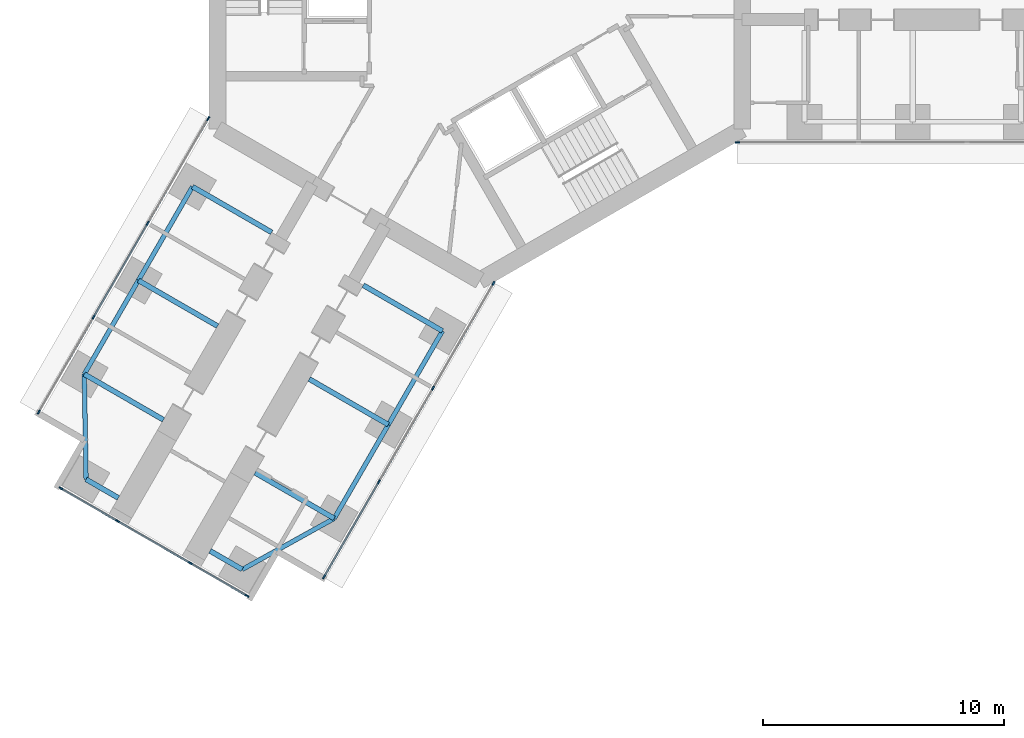
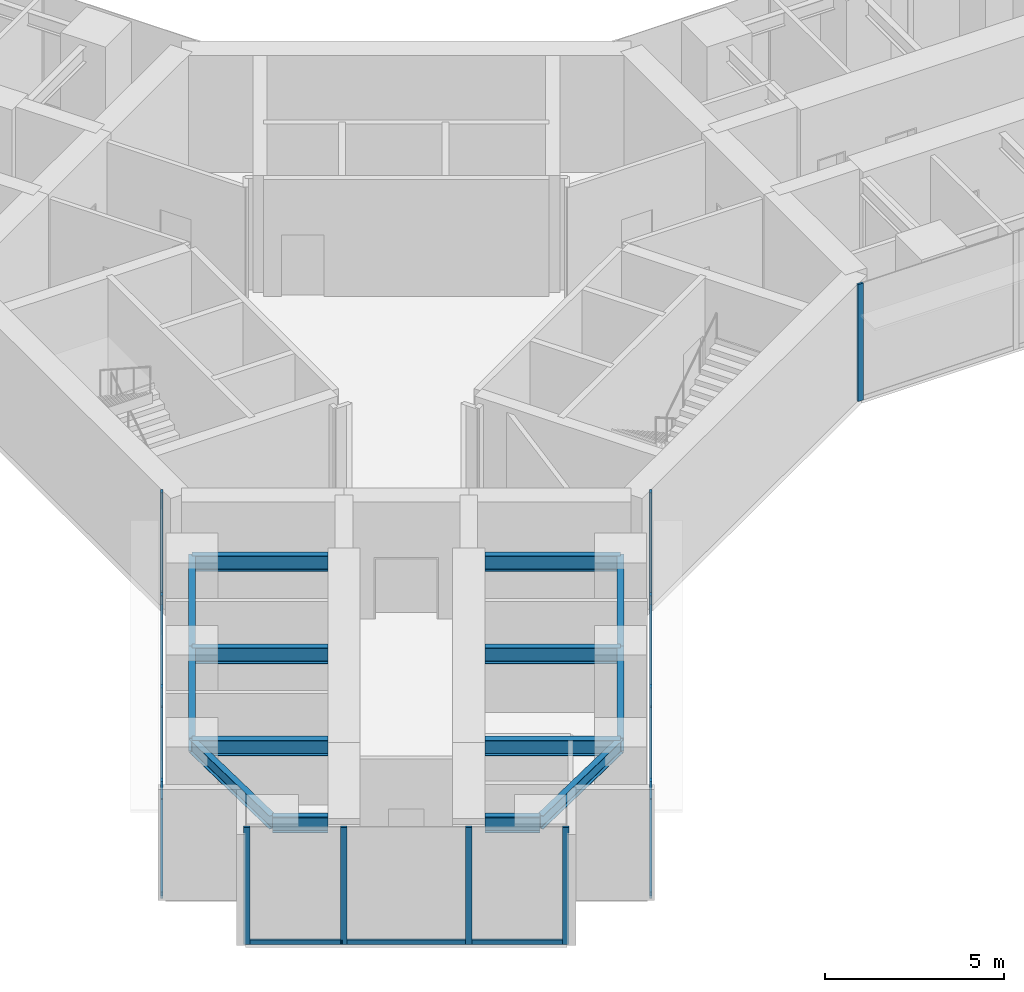
# One storey, part 2 of 24: 22 members, 14 beams, 4 elements without a shape of their own.
"""IFC4 building model written with IfcOpenShell, lengths in metres."""

import ifcopenshell
import ifcopenshell.guid

model = None  # the IFC model being written
_history = None  # IfcOwnerHistory: only IFC2X3 demands one
_inside = {}  # id of a spatial element -> (the spatial element, [elements in it])
_under = {}  # id of a project, library or spatial element -> (it, [spatial elements below it])
_declared = {}  # id of a project -> (the project, [libraries it declares])
_typed = {}  # id of a type object -> (the type object, [elements of that type])
_made_of = {}  # id of a material, layer set ... -> (it, [elements and type objects made of it])


def new_model(schema):
    """Start an empty IFC model of exactly this schema.

    Asked for "IFC4X3", IfcOpenShell would pick the latest addendum, in which some entities
    have other attributes; the version numbers below select the first issue.
    IFC2X3 requires an IfcOwnerHistory on every rooted entity: one is made here for all.
    """
    global model, _history
    if schema == "IFC4X3":
        model = ifcopenshell.file(schema_version=(4, 3, 0, 0))
    else:
        model = ifcopenshell.file(schema=schema)
    _inside.clear()
    _under.clear()
    _declared.clear()
    _typed.clear()
    _made_of.clear()
    _history = None
    if model.schema == "IFC2X3":
        org = make("IfcOrganization", Name="unknown")
        user = make(
            "IfcPersonAndOrganization",
            ThePerson=make("IfcPerson", FamilyName="unknown"),
            TheOrganization=org,
        )
        app = make(
            "IfcApplication",
            ApplicationDeveloper=org,
            Version="unknown",
            ApplicationFullName="unknown",
            ApplicationIdentifier="unknown",
        )
        _history = make(
            "IfcOwnerHistory",
            OwningUser=user,
            OwningApplication=app,
            ChangeAction="ADDED",
            CreationDate=0,
        )
    return model


def make(cls, **values):
    """One entity of the class cls with the attributes given. An attribute that is None is left unset."""
    return model.create_entity(
        cls, **{name: value for name, value in values.items() if value is not None}
    )


def rooted(cls, **values):
    """An entity with a GlobalId (a new one), such as an element, a storey or a relation."""
    return make(cls, GlobalId=ifcopenshell.guid.new(), OwnerHistory=_history, **values)


def si_unit(unit_type, name, prefix=None):
    """IfcSIUnit, for example si_unit("LENGTHUNIT", "METRE", prefix="MILLI")."""
    return make("IfcSIUnit", UnitType=unit_type, Prefix=prefix, Name=name)


def assignment(units):
    """IfcUnitAssignment: the units of a project."""
    return None if units is None else make("IfcUnitAssignment", Units=units)


def point(xyz):
    """IfcCartesianPoint."""
    return None if xyz is None else make("IfcCartesianPoint", Coordinates=xyz)


def direction(xyz):
    """IfcDirection."""
    return None if xyz is None else make("IfcDirection", DirectionRatios=xyz)


def frame(location, z_axis=None, x_axis=None):
    """IfcAxis2Placement3D, a coordinate frame: its origin and axes. An axis left out is left unset."""
    return make(
        "IfcAxis2Placement3D",
        Location=point(location),
        Axis=direction(z_axis),
        RefDirection=direction(x_axis),
    )


def frame_2d(location, x_axis=None):
    """IfcAxis2Placement2D, a coordinate frame in the plane: its origin and x axis."""
    return make(
        "IfcAxis2Placement2D", Location=point(location), RefDirection=direction(x_axis)
    )


def origin():
    """The frame at (0, 0, 0) with its axes left unset."""
    return frame((0.0, 0.0, 0.0))


def origin_2d():
    """The frame at (0, 0) in the plane with its x axis left unset."""
    return frame_2d((0.0, 0.0))


def place(relative_to, where):
    """IfcLocalPlacement: puts the frame where relative to a parent placement (None: the world)."""
    return make(
        "IfcLocalPlacement", PlacementRelTo=relative_to, RelativePlacement=where
    )


def context(
    kind, dimensions, precision=None, world=None, true_north=None, identifier=None
):
    """IfcGeometricRepresentationContext, for example the 3D "Model" context."""
    return make(
        "IfcGeometricRepresentationContext",
        ContextIdentifier=identifier,
        ContextType=kind,
        CoordinateSpaceDimension=dimensions,
        Precision=precision,
        WorldCoordinateSystem=world,
        TrueNorth=true_north,
    )


def subcontext(parent, identifier, kind, view, scale=None):
    """IfcGeometricRepresentationSubContext, for example "Body" below "Model"."""
    return make(
        "IfcGeometricRepresentationSubContext",
        ContextIdentifier=identifier,
        ContextType=kind,
        ParentContext=parent,
        TargetScale=scale,
        TargetView=view,
    )


def project(units=None, contexts=None):
    """IfcProject with its units and contexts."""
    return rooted(
        "IfcProject",
        Name="project",
        RepresentationContexts=contexts,
        UnitsInContext=assignment(units),
    )


def spatial(cls, under=None, at=None, **own):
    """A site, building, storey or space (cls), placed at a placement, below another one or the project."""
    s = rooted(cls, ObjectPlacement=at, **own)
    if under is not None:
        _under.setdefault(under.id(), (under, []))[1].append(s)
    return s


def profile(cls, at=None, kind="AREA", **sizes):
    """A parametric profile (cls). Its sizes go by their IFC names, for example OverallWidth=200.0."""
    return make(cls, ProfileType=kind, Position=at, **sizes)


def rectangle(**sizes):
    """IfcRectangleProfileDef."""
    return profile("IfcRectangleProfileDef", **sizes)


def i_section(**sizes):
    """IfcIShapeProfileDef."""
    return profile("IfcIShapeProfileDef", **sizes)


def extrude(swept, where, along, depth):
    """IfcExtrudedAreaSolid: the profile swept, set in the frame where, extruded along a direction by depth."""
    return make(
        "IfcExtrudedAreaSolid",
        SweptArea=swept,
        Position=where,
        ExtrudedDirection=direction(along),
        Depth=depth,
    )


def shape(context_of_items, identifier, shape_type, items):
    """IfcShapeRepresentation: the items that make up one representation, for example the "Body"."""
    return make(
        "IfcShapeRepresentation",
        ContextOfItems=context_of_items,
        RepresentationIdentifier=identifier,
        RepresentationType=shape_type,
        Items=items,
    )


def material(Name=None, Category=None):
    """IfcMaterial."""
    return make("IfcMaterial", Name=Name, Category=Category)


def material_profile(
    of_material, cross_section, Name=None, Category=None, Priority=None
):
    """IfcMaterialProfile: a cross section and its material."""
    return make(
        "IfcMaterialProfile",
        Name=Name,
        Material=of_material,
        Profile=cross_section,
        Priority=Priority,
        Category=Category,
    )


def profile_set(profiles, Name=None, composite=None):
    """IfcMaterialProfileSet."""
    return make(
        "IfcMaterialProfileSet",
        Name=Name,
        MaterialProfiles=profiles,
        CompositeProfile=composite,
    )


def made_of(thing, what):
    """Note that an element or type object is made of a material, layer set ...; save() writes the relation."""
    if what is not None:
        _made_of.setdefault(what.id(), (what, []))[1].append(thing)
    return thing


def type_object(cls, material=None, **own):
    """A type object (cls), such as IfcWallType, which elements share."""
    return made_of(rooted(cls, **own), material)


def element(
    cls,
    number,
    at=None,
    inside=None,
    cuts=None,
    type_object=None,
    material=None,
    context=None,
    identifier="Body",
    shape_type=None,
    held_by="IfcProductDefinitionShape",
    body=None,
    shapes=None,
    **own,
):
    """One element of the class cls, such as IfcWall. Its Tag is "e" and its number.

    at: its placement. inside: the storey or other place that contains it. cuts: it is an
    opening in that element (IfcRelVoidsElement). A single representation is given by context,
    identifier, shape_type and body (its items); several are given by shapes. held_by: the class
    of the entity that holds the representations. save() writes the other relations.
    """
    e = rooted(cls, Tag="e%d" % number, ObjectPlacement=at, **own)
    if body is not None:
        shapes = [shape(context, identifier, shape_type, body)]
    if shapes is not None:
        e.Representation = make(held_by, Representations=shapes)
    if inside is not None:
        _inside.setdefault(inside.id(), (inside, []))[1].append(e)
    if cuts is not None:
        rooted(
            "IfcRelVoidsElement", RelatingBuildingElement=cuts, RelatedOpeningElement=e
        )
    if type_object is not None:
        _typed.setdefault(type_object.id(), (type_object, []))[1].append(e)
    return made_of(e, material)


def aggregate(whole, parts):
    """IfcRelAggregates: a whole, such as a stair, and the parts it consists of."""
    return rooted("IfcRelAggregates", RelatingObject=whole, RelatedObjects=parts)


def save(model, path):
    """Write the relations noted so far, then the file.

    IfcRelAggregates (storeys below a building ...), IfcRelContainedInSpatialStructure (elements
    in a storey), IfcRelDefinesByType, IfcRelAssociatesMaterial and IfcRelDeclares: one each for
    every whole, place, type object, material and project.
    """
    for whole, parts in _under.values():
        aggregate(whole, parts)
    for where, things in _inside.values():
        rooted(
            "IfcRelContainedInSpatialStructure",
            RelatedElements=things,
            RelatingStructure=where,
        )
    for kind, things in _typed.values():
        rooted("IfcRelDefinesByType", RelatedObjects=things, RelatingType=kind)
    for what, things in _made_of.values():
        rooted("IfcRelAssociatesMaterial", RelatedObjects=things, RelatingMaterial=what)
    for by, libraries in _declared.values():
        rooted("IfcRelDeclares", RelatingContext=by, RelatedDefinitions=libraries)
    model.write(path)


model = new_model("IFC4")

# Units and contexts
model_context = context("Model", 3, precision=1e-05, world=origin(), true_north=direction((0.0, 1.0)))
body_context = subcontext(model_context, "Body", "Model", "MODEL_VIEW")
ifc_project = project(units=[si_unit("LENGTHUNIT", "METRE"), si_unit("AREAUNIT", "SQUARE_METRE"), si_unit("VOLUMEUNIT", "CUBIC_METRE"), si_unit("PLANEANGLEUNIT", "RADIAN"), si_unit("MASSUNIT", "GRAM", prefix="KILO")], contexts=[model_context])

# Site, building, storey
site_placement = place(None, origin())
site = spatial("IfcSite", under=ifc_project, at=site_placement, CompositionType="ELEMENT")
building_placement = place(site_placement, origin())
building = spatial("IfcBuilding", under=site, at=building_placement, Name="Upepo Twin Towers", CompositionType="ELEMENT")
storey_placement = place(building_placement, frame((0.0, 0.0, 48.5)))
storey = spatial("IfcBuildingStorey", under=building, at=storey_placement, Name="L11", CompositionType="ELEMENT", Elevation=48.5)

# Beams
ifc_material_1 = material(Name="Steel S355", Category="steel")
ifc_material_profile_1 = material_profile(ifc_material_1, i_section(OverallWidth=0.1904296875, OverallDepth=0.45703125, WebThickness=0.009033203125, FlangeThickness=0.014404296875, FilletRadius=0.01025390625, at=origin_2d()), Name="UB 457x191x74")
ifc_profile_set_1 = profile_set([ifc_material_profile_1], Name="Steel S355")
beam_type_1 = type_object("IfcBeamType", Name="Beam UB 457x191x74", PredefinedType="BEAM", material=ifc_profile_set_1)
beam_1_placement = place(storey_placement, frame((-1.553955078125, -14.69140625, 3.571533203125), z_axis=(-0.500013631625, -0.866017533419, 0.0), x_axis=(0.866017533419, -0.500013631625, 0.0)))
element("IfcBeam", 1, at=beam_1_placement, inside=storey, type_object=beam_type_1, Name="T1 edge beam CL 13.5-18.0", PredefinedType="BEAM", context=body_context, shape_type="SweptSolid", body=[
    extrude(i_section(OverallWidth=0.1904296875, OverallDepth=0.45703125, WebThickness=0.009033203125, FlangeThickness=0.014404296875, FilletRadius=0.01025390625, at=origin_2d()), origin(), (0.0, 0.0, 1.0), 4.499755859375),
])
beam_2_placement = place(storey_placement, frame((-3.803955078125, -18.58837890625, 3.571533203125), z_axis=(-0.499990139034, -0.866031096941, 0.0), x_axis=(0.866031096941, -0.499990139034, 0.0)))
element("IfcBeam", 2, at=beam_2_placement, inside=storey, type_object=beam_type_1, Name="T1 edge beam CL 18.0-22.5", PredefinedType="BEAM", context=body_context, shape_type="SweptSolid", body=[
    extrude(i_section(OverallWidth=0.1904296875, OverallDepth=0.45703125, WebThickness=0.009033203125, FlangeThickness=0.014404296875, FilletRadius=0.01025390625, at=origin_2d()), origin(), (0.0, 0.0, 1.0), 4.5),
])
beam_3_placement = place(storey_placement, frame((-6.053955078125, -22.485595703125, 3.571533203125), z_axis=(-0.874312600038, -0.485363242752, 0.0), x_axis=(0.485363242752, -0.874312600038, 0.0)))
element("IfcBeam", 3, at=beam_3_placement, inside=storey, type_object=beam_type_1, Name="T1 nose edge beam CL", PredefinedType="BEAM", context=body_context, shape_type="SweptSolid", body=[
    extrude(i_section(OverallWidth=0.1904296875, OverallDepth=0.45703125, WebThickness=0.009033203125, FlangeThickness=0.014404296875, FilletRadius=0.01025390625, at=origin_2d()), origin(), (0.0, 0.0, 1.0), 4.373046875),
])
beam_4_placement = place(storey_placement, frame((-11.946044921875, -8.69140625, 3.571533203125), z_axis=(-0.500013631625, -0.866017533419, 0.0), x_axis=(0.866017533419, -0.500013631625, 0.0)))
element("IfcBeam", 4, at=beam_4_placement, inside=storey, type_object=beam_type_1, Name="T1 edge beam CR 13.5-18.0", PredefinedType="BEAM", context=body_context, shape_type="SweptSolid", body=[
    extrude(i_section(OverallWidth=0.1904296875, OverallDepth=0.45703125, WebThickness=0.009033203125, FlangeThickness=0.014404296875, FilletRadius=0.01025390625, at=origin_2d()), origin(), (0.0, 0.0, 1.0), 4.499755859375),
])
beam_5_placement = place(storey_placement, frame((-14.196044921875, -12.58837890625, 3.571533203125), z_axis=(-0.499990139034, -0.866031096941, 0.0), x_axis=(0.866031096941, -0.499990139034, 0.0)))
element("IfcBeam", 5, at=beam_5_placement, inside=storey, type_object=beam_type_1, Name="T1 edge beam CR 18.0-22.5", PredefinedType="BEAM", context=body_context, shape_type="SweptSolid", body=[
    extrude(i_section(OverallWidth=0.1904296875, OverallDepth=0.45703125, WebThickness=0.009033203125, FlangeThickness=0.014404296875, FilletRadius=0.01025390625, at=origin_2d()), origin(), (0.0, 0.0, 1.0), 4.5),
])
beam_6_placement = place(storey_placement, frame((-16.446044921875, -16.485595703125, 3.571533203125), z_axis=(0.016803880528, -0.999858804832, 0.0), x_axis=(0.999858804832, 0.016803880528, 0.0)))
element("IfcBeam", 6, at=beam_6_placement, inside=storey, type_object=beam_type_1, Name="T1 nose edge beam CR", PredefinedType="BEAM", context=body_context, shape_type="SweptSolid", body=[
    extrude(i_section(OverallWidth=0.1904296875, OverallDepth=0.45703125, WebThickness=0.009033203125, FlangeThickness=0.014404296875, FilletRadius=0.01025390625, at=origin_2d()), origin(), (0.0, 0.0, 1.0), 4.373291015625),
])
ifc_material_2 = material(Name="Steel S355", Category="steel")
ifc_material_profile_2 = material_profile(ifc_material_2, i_section(OverallWidth=0.2119140625, OverallDepth=0.54443359375, WebThickness=0.0126953125, FlangeThickness=0.021240234375, FilletRadius=0.0126953125, at=origin_2d()), Name="UB 533x210x122")
ifc_profile_set_2 = profile_set([ifc_material_profile_2], Name="Steel S355")
beam_type_2 = type_object("IfcBeamType", Name="Beam UB 533x210x122", PredefinedType="BEAM", material=ifc_profile_set_2)
for number, where, z_axis, x_axis, name in (
    (7, (-9.87744140625, -24.608154296875, 3.52783203125), (-0.866043940782, 0.499967891604, 0.0), (-0.499967891604, -0.866043940782, 0.0), "T1 nose beam CL"),
    (8, (-16.37255859375, -20.858154296875, 3.52783203125), (0.866043940782, -0.499967891604, 0.0), (0.499967891604, 0.866043940782, 0.0), "T1 nose beam CR"),
):
    element("IfcBeam", number, at=place(storey_placement, frame(where, z_axis=z_axis, x_axis=x_axis)), inside=storey, type_object=beam_type_2, Name=name, PredefinedType="BEAM", context=body_context, shape_type="SweptSolid", body=[
        extrude(i_section(OverallWidth=0.2119140625, OverallDepth=0.54443359375, WebThickness=0.0126953125, FlangeThickness=0.021240234375, FilletRadius=0.0126953125, at=origin_2d()), origin(), (0.0, 0.0, 1.0), 1.5498046875),
    ])
ifc_material_3 = material(Name="Steel S355", Category="steel")
ifc_material_profile_3 = material_profile(ifc_material_3, i_section(OverallWidth=0.209228515625, OverallDepth=0.533203125, WebThickness=0.010009765625, FlangeThickness=0.015625, FilletRadius=0.0126953125, at=origin_2d()), Name="UB 533x210x92")
ifc_profile_set_3 = profile_set([ifc_material_profile_3], Name="Steel S355")
beam_type_3 = type_object("IfcBeamType", Name="Beam UB 533x210x92", PredefinedType="BEAM", material=ifc_profile_set_3)
beam_7_placement = place(storey_placement, frame((-1.553955078125, -14.69140625, 3.533447265625), z_axis=(-0.866000483506, 0.500043160704, 0.0), x_axis=(-0.500043160704, -0.866000483506, 0.0)))
element("IfcBeam", 9, at=beam_7_placement, inside=storey, type_object=beam_type_3, Name="T1 girder CL at 13.5", PredefinedType="BEAM", context=body_context, shape_type="SweptSolid", body=[
    extrude(i_section(OverallWidth=0.209228515625, OverallDepth=0.533203125, WebThickness=0.010009765625, FlangeThickness=0.015625, FilletRadius=0.0126953125, at=origin_2d()), origin(), (0.0, 0.0, 1.0), 3.800048828125),
])
for number, where, z_axis, x_axis, name in (
    (10, (-3.803955078125, -18.58837890625, 3.533447265625), (-0.866028304915, 0.499994975061, 0.0), (-0.499994975061, -0.866028304915, 0.0), "T1 girder CL at 18.0"),
    (11, (-6.053955078125, -22.485595703125, 3.533447265625), (-0.866028304915, 0.499994975061, 0.0), (-0.499994975061, -0.866028304915, 0.0), "T1 girder CL at 22.5"),
    (12, (-11.946044921875, -8.69140625, 3.533447265625), (0.866028304915, -0.499994975061, 0.0), (0.499994975061, 0.866028304915, 0.0), "T1 girder CR at 13.5"),
):
    element("IfcBeam", number, at=place(storey_placement, frame(where, z_axis=z_axis, x_axis=x_axis)), inside=storey, type_object=beam_type_3, Name=name, PredefinedType="BEAM", context=body_context, shape_type="SweptSolid", body=[
        extrude(i_section(OverallWidth=0.209228515625, OverallDepth=0.533203125, WebThickness=0.010009765625, FlangeThickness=0.015625, FilletRadius=0.0126953125, at=origin_2d()), origin(), (0.0, 0.0, 1.0), 3.7998046875),
    ])
beam_8_placement = place(storey_placement, frame((-14.196044921875, -12.58837890625, 3.533447265625), z_axis=(0.866000483506, -0.500043160704, 0.0), x_axis=(0.500043160704, 0.866000483506, 0.0)))
element("IfcBeam", 13, at=beam_8_placement, inside=storey, type_object=beam_type_3, Name="T1 girder CR at 18.0", PredefinedType="BEAM", context=body_context, shape_type="SweptSolid", body=[
    extrude(i_section(OverallWidth=0.209228515625, OverallDepth=0.533203125, WebThickness=0.010009765625, FlangeThickness=0.015625, FilletRadius=0.0126953125, at=origin_2d()), origin(), (0.0, 0.0, 1.0), 3.800048828125),
])
beam_9_placement = place(storey_placement, frame((-16.446044921875, -16.485595703125, 3.533447265625), z_axis=(0.866028304915, -0.499994975061, 0.0), x_axis=(0.499994975061, 0.866028304915, 0.0)))
element("IfcBeam", 14, at=beam_9_placement, inside=storey, type_object=beam_type_3, Name="T1 girder CR at 22.5", PredefinedType="BEAM", context=body_context, shape_type="SweptSolid", body=[
    extrude(i_section(OverallWidth=0.209228515625, OverallDepth=0.533203125, WebThickness=0.010009765625, FlangeThickness=0.015625, FilletRadius=0.0126953125, at=origin_2d()), origin(), (0.0, 0.0, 1.0), 3.7998046875),
])

# Curtain wall, member
ifc_material_4 = material(Name="Aluminium and fritted glass", Category="aluminium")
curtain_wall_type = type_object("IfcCurtainWallType", Name="Tower curtain wall TW1, fritted glass", PredefinedType="NOTDEFINED", material=ifc_material_4)
curtain_wall_1_placement = place(storey_placement, origin())
curtain_wall_1 = element("IfcCurtainWall", 15, at=curtain_wall_1_placement, inside=storey, type_object=curtain_wall_type, Name="T1 L11 wing A flank R curtain wall", PredefinedType="NOTDEFINED")
ifc_material_5 = material(Name="Aluminium mullion", Category="aluminium")
ifc_material_profile_4 = material_profile(ifc_material_5, rectangle(XDim=0.06494140625, YDim=0.179931640625, at=origin_2d()), Name="MULLION 65x180")
ifc_profile_set_4 = profile_set([ifc_material_profile_4], Name="Aluminium mullion")
member_type_1 = type_object("IfcMemberType", Name="Mullion 65x180 TW1", PredefinedType="MULLION", material=ifc_profile_set_4)
member_1_placement = place(storey_placement, frame((10.7197265625, -6.85009765625, 0.0), z_axis=(0.0, 0.0, 1.0), x_axis=(0.0, -1.0, 0.0)))
member_1 = element("IfcMember", 16, at=member_1_placement, type_object=member_type_1, Name="T1 L11 wing A flank R curtain wall mullion 4", PredefinedType="MULLION", context=body_context, shape_type="SweptSolid", body=[
    extrude(rectangle(XDim=0.06494140625, YDim=0.179931640625, at=origin_2d()), origin(), (0.0, 0.0, 1.0), 4.0),
])
aggregate(curtain_wall_1, [member_1])

# Curtain wall, members
curtain_wall_2_placement = place(storey_placement, origin())
curtain_wall_2 = element("IfcCurtainWall", 17, at=curtain_wall_2_placement, inside=storey, type_object=curtain_wall_type, Name="T1 L11 wing C flank L curtain wall", PredefinedType="NOTDEFINED")
member_2_placement = place(storey_placement, frame((0.572509765625, -12.70849609375, 0.0), z_axis=(0.0, 0.0, 1.0), x_axis=(0.866025389682, -0.500000024426, 0.0)))
member_2 = element("IfcMember", 18, at=member_2_placement, type_object=member_type_1, Name="T1 L11 wing C flank L curtain wall mullion 1", PredefinedType="MULLION", context=body_context, shape_type="SweptSolid", body=[
    extrude(rectangle(XDim=0.06494140625, YDim=0.179931640625, at=origin_2d()), origin(), (0.0, 0.0, 1.0), 4.0),
])
member_3_placement = place(storey_placement, frame((-1.942626953125, -17.06494140625, 0.0), z_axis=(0.0, 0.0, 1.0), x_axis=(0.866025389682, -0.500000024426, 0.0)))
member_3 = element("IfcMember", 19, at=member_3_placement, type_object=member_type_1, Name="T1 L11 wing C flank L curtain wall mullion 2", PredefinedType="MULLION", context=body_context, shape_type="SweptSolid", body=[
    extrude(rectangle(XDim=0.06494140625, YDim=0.179931640625, at=origin_2d()), origin(), (0.0, 0.0, 1.0), 4.0),
])
member_4_placement = place(storey_placement, frame((-4.192626953125, -20.9619140625, 0.0), z_axis=(0.0, 0.0, 1.0), x_axis=(0.866025389682, -0.500000024426, 0.0)))
member_4 = element("IfcMember", 20, at=member_4_placement, type_object=member_type_1, Name="T1 L11 wing C flank L curtain wall mullion 3", PredefinedType="MULLION", context=body_context, shape_type="SweptSolid", body=[
    extrude(rectangle(XDim=0.06494140625, YDim=0.179931640625, at=origin_2d()), origin(), (0.0, 0.0, 1.0), 4.0),
])
member_5_placement = place(storey_placement, frame((-6.4765625, -24.91748046875, 0.0), z_axis=(0.0, 0.0, 1.0), x_axis=(0.866025389682, -0.500000024426, 0.0)))
member_5 = element("IfcMember", 21, at=member_5_placement, type_object=member_type_1, Name="T1 L11 wing C flank L curtain wall mullion 4", PredefinedType="MULLION", context=body_context, shape_type="SweptSolid", body=[
    extrude(rectangle(XDim=0.06494140625, YDim=0.179931640625, at=origin_2d()), origin(), (0.0, 0.0, 1.0), 4.0),
])

curtain_wall_3_placement = place(storey_placement, origin())
curtain_wall_3 = element("IfcCurtainWall", 22, at=curtain_wall_3_placement, inside=storey, type_object=curtain_wall_type, Name="T1 L11 wing C flank R curtain wall", PredefinedType="NOTDEFINED")
member_6_placement = place(storey_placement, frame((-18.341064453125, -18.067626953125, 0.0), z_axis=(0.0, 0.0, 1.0), x_axis=(-0.866025389682, 0.500000024426, 0.0)))
member_6 = element("IfcMember", 23, at=member_6_placement, type_object=member_type_1, Name="T1 L11 wing C flank R curtain wall mullion 1", PredefinedType="MULLION", context=body_context, shape_type="SweptSolid", body=[
    extrude(rectangle(XDim=0.06494140625, YDim=0.179931640625, at=origin_2d()), origin(), (0.0, 0.0, 1.0), 4.0),
])
member_7_placement = place(storey_placement, frame((-16.057373046875, -14.112060546875, 0.0), z_axis=(0.0, 0.0, 1.0), x_axis=(-0.866025389682, 0.500000024426, 0.0)))
member_7 = element("IfcMember", 24, at=member_7_placement, type_object=member_type_1, Name="T1 L11 wing C flank R curtain wall mullion 2", PredefinedType="MULLION", context=body_context, shape_type="SweptSolid", body=[
    extrude(rectangle(XDim=0.06494140625, YDim=0.179931640625, at=origin_2d()), origin(), (0.0, 0.0, 1.0), 4.0),
])
member_8_placement = place(storey_placement, frame((-13.807373046875, -10.21484375, 0.0), z_axis=(0.0, 0.0, 1.0), x_axis=(-0.866025389682, 0.500000024426, 0.0)))
member_8 = element("IfcMember", 25, at=member_8_placement, type_object=member_type_1, Name="T1 L11 wing C flank R curtain wall mullion 3", PredefinedType="MULLION", context=body_context, shape_type="SweptSolid", body=[
    extrude(rectangle(XDim=0.06494140625, YDim=0.179931640625, at=origin_2d()), origin(), (0.0, 0.0, 1.0), 4.0),
])
member_9_placement = place(storey_placement, frame((-11.2919921875, -5.8583984375, 0.0), z_axis=(0.0, 0.0, 1.0), x_axis=(-0.866025389682, 0.500000024426, 0.0)))
member_9 = element("IfcMember", 26, at=member_9_placement, type_object=member_type_1, Name="T1 L11 wing C flank R curtain wall mullion 4", PredefinedType="MULLION", context=body_context, shape_type="SweptSolid", body=[
    extrude(rectangle(XDim=0.06494140625, YDim=0.179931640625, at=origin_2d()), origin(), (0.0, 0.0, 1.0), 4.0),
])

curtain_wall_4_placement = place(storey_placement, origin())
curtain_wall_4 = element("IfcCurtainWall", 27, at=curtain_wall_4_placement, inside=storey, type_object=curtain_wall_type, Name="T1 L11 wing C nose curtain wall", PredefinedType="NOTDEFINED")
member_10_placement = place(storey_placement, frame((-17.4189453125, -21.235595703125, 0.0), z_axis=(0.0, 0.0, 1.0), x_axis=(0.500000030502, 0.866025386174, 0.0)))
member_10 = element("IfcMember", 28, at=member_10_placement, type_object=member_type_1, Name="T1 L11 wing C nose curtain wall mullion 1", PredefinedType="MULLION", context=body_context, shape_type="SweptSolid", body=[
    extrude(rectangle(XDim=0.06494140625, YDim=0.179931640625, at=origin_2d()), origin(), (0.0, 0.0, 1.0), 4.0),
])
member_11_placement = place(storey_placement, frame((-15.0654296875, -22.59423828125, 0.0), z_axis=(0.0, 0.0, 1.0), x_axis=(0.500000030502, 0.866025386174, 0.0)))
member_11 = element("IfcMember", 29, at=member_11_placement, type_object=member_type_1, Name="T1 L11 wing C nose curtain wall mullion 2", PredefinedType="MULLION", context=body_context, shape_type="SweptSolid", body=[
    extrude(rectangle(XDim=0.06494140625, YDim=0.179931640625, at=origin_2d()), origin(), (0.0, 0.0, 1.0), 4.0),
])
member_12_placement = place(storey_placement, frame((-12.034423828125, -24.34423828125, 0.0), z_axis=(0.0, 0.0, 1.0), x_axis=(0.500000030502, 0.866025386174, 0.0)))
member_12 = element("IfcMember", 30, at=member_12_placement, type_object=member_type_1, Name="T1 L11 wing C nose curtain wall mullion 3", PredefinedType="MULLION", context=body_context, shape_type="SweptSolid", body=[
    extrude(rectangle(XDim=0.06494140625, YDim=0.179931640625, at=origin_2d()), origin(), (0.0, 0.0, 1.0), 4.0),
])
member_13_placement = place(storey_placement, frame((-9.68115234375, -25.703125, 0.0), z_axis=(0.0, 0.0, 1.0), x_axis=(0.500000030502, 0.866025386174, 0.0)))
member_13 = element("IfcMember", 31, at=member_13_placement, type_object=member_type_1, Name="T1 L11 wing C nose curtain wall mullion 4", PredefinedType="MULLION", context=body_context, shape_type="SweptSolid", body=[
    extrude(rectangle(XDim=0.06494140625, YDim=0.179931640625, at=origin_2d()), origin(), (0.0, 0.0, 1.0), 4.0),
])

# Member
ifc_material_6 = material(Name="Aluminium transom", Category="aluminium")
ifc_material_profile_5 = material_profile(ifc_material_6, rectangle(XDim=0.06494140625, YDim=0.14990234375, at=origin_2d()), Name="TRANSOM 65x150")
ifc_profile_set_5 = profile_set([ifc_material_profile_5], Name="Aluminium transom")
member_type_2 = type_object("IfcMemberType", Name="Transom 65x150 TW1", PredefinedType="USERDEFINED", material=ifc_profile_set_5)
member_14_placement = place(storey_placement, frame((0.55615234375, -12.736572265625, 0.074951171875), z_axis=(-0.499983492876, -0.866034933967, 0.0), x_axis=(0.866034933967, -0.499983492876, 0.0)))
member_14 = element("IfcMember", 32, at=member_14_placement, type_object=member_type_2, Name="T1 L11 wing C flank L curtain wall transom 1", ObjectType="TRANSOM", PredefinedType="USERDEFINED", context=body_context, shape_type="SweptSolid", body=[
    extrude(rectangle(XDim=0.06494140625, YDim=0.14990234375, at=origin_2d()), origin(), (0.0, 0.0, 1.0), 4.965576171875),
])

member_15_placement = place(storey_placement, frame((-1.958984375, -17.093017578125, 0.074951171875), z_axis=(-0.500005184116, -0.866022410713, 0.0), x_axis=(0.866022410713, -0.500005184116, 0.0)))
member_15 = element("IfcMember", 33, at=member_15_placement, type_object=member_type_2, Name="T1 L11 wing C flank L curtain wall transom 2", ObjectType="TRANSOM", PredefinedType="USERDEFINED", context=body_context, shape_type="SweptSolid", body=[
    extrude(rectangle(XDim=0.06494140625, YDim=0.14990234375, at=origin_2d()), origin(), (0.0, 0.0, 1.0), 4.43505859375),
])

member_16_placement = place(storey_placement, frame((-4.208984375, -20.990234375, 0.074951171875), z_axis=(-0.500005646842, -0.866022143554, 0.0), x_axis=(0.866022143554, -0.500005646842, 0.0)))
member_16 = element("IfcMember", 34, at=member_16_placement, type_object=member_type_2, Name="T1 L11 wing C flank L curtain wall transom 3", ObjectType="TRANSOM", PredefinedType="USERDEFINED", context=body_context, shape_type="SweptSolid", body=[
    extrude(rectangle(XDim=0.06494140625, YDim=0.14990234375, at=origin_2d()), origin(), (0.0, 0.0, 1.0), 4.50244140625),
])

aggregate(curtain_wall_2, [member_2, member_3, member_4, member_5, member_14, member_15, member_16])

member_17_placement = place(storey_placement, frame((-18.32470703125, -18.03955078125, 0.074951171875), z_axis=(0.499982167615, 0.866035699072, 0.0), x_axis=(-0.866035699072, 0.499982167615, 0.0)))
member_17 = element("IfcMember", 35, at=member_17_placement, type_object=member_type_2, Name="T1 L11 wing C flank R curtain wall transom 1", ObjectType="TRANSOM", PredefinedType="USERDEFINED", context=body_context, shape_type="SweptSolid", body=[
    extrude(rectangle(XDim=0.06494140625, YDim=0.14990234375, at=origin_2d()), origin(), (0.0, 0.0, 1.0), 4.502685546875),
])

member_18_placement = place(storey_placement, frame((-16.041015625, -14.083984375, 0.074951171875), z_axis=(0.500005184116, 0.866022410713, 0.0), x_axis=(-0.866022410713, 0.500005184116, 0.0)))
member_18 = element("IfcMember", 36, at=member_18_placement, type_object=member_type_2, Name="T1 L11 wing C flank R curtain wall transom 2", ObjectType="TRANSOM", PredefinedType="USERDEFINED", context=body_context, shape_type="SweptSolid", body=[
    extrude(rectangle(XDim=0.06494140625, YDim=0.14990234375, at=origin_2d()), origin(), (0.0, 0.0, 1.0), 4.43505859375),
])

member_19_placement = place(storey_placement, frame((-13.791015625, -10.186767578125, 0.074951171875), z_axis=(0.50000478328, 0.866022642139, 0.0), x_axis=(-0.866022642139, 0.50000478328, 0.0)))
member_19 = element("IfcMember", 37, at=member_19_placement, type_object=member_type_2, Name="T1 L11 wing C flank R curtain wall transom 3", ObjectType="TRANSOM", PredefinedType="USERDEFINED", context=body_context, shape_type="SweptSolid", body=[
    extrude(rectangle(XDim=0.06494140625, YDim=0.14990234375, at=origin_2d()), origin(), (0.0, 0.0, 1.0), 4.96533203125),
])

aggregate(curtain_wall_3, [member_6, member_7, member_8, member_9, member_17, member_18, member_19])

member_20_placement = place(storey_placement, frame((-17.390869140625, -21.251708984375, 0.074951171875), z_axis=(0.865997053448, -0.500049101008, 0.0), x_axis=(0.500049101008, 0.865997053448, 0.0)))
member_20 = element("IfcMember", 38, at=member_20_placement, type_object=member_type_2, Name="T1 L11 wing C nose curtain wall transom 1", ObjectType="TRANSOM", PredefinedType="USERDEFINED", context=body_context, shape_type="SweptSolid", body=[
    extrude(rectangle(XDim=0.06494140625, YDim=0.14990234375, at=origin_2d()), origin(), (0.0, 0.0, 1.0), 2.652587890625),
])

member_21_placement = place(storey_placement, frame((-15.037353515625, -22.610595703125, 0.074951171875), z_axis=(0.866025804792, -0.499999305434, 0.0), x_axis=(0.499999305434, 0.866025804792, 0.0)))
member_21 = element("IfcMember", 39, at=member_21_placement, type_object=member_type_2, Name="T1 L11 wing C nose curtain wall transom 2", ObjectType="TRANSOM", PredefinedType="USERDEFINED", context=body_context, shape_type="SweptSolid", body=[
    extrude(rectangle(XDim=0.06494140625, YDim=0.14990234375, at=origin_2d()), origin(), (0.0, 0.0, 1.0), 3.43505859375),
])

member_22_placement = place(storey_placement, frame((-12.00634765625, -24.360595703125, 0.074951171875), z_axis=(0.866036909293, -0.499980071345, 0.0), x_axis=(0.499980071345, 0.866036909293, 0.0)))
member_22 = element("IfcMember", 40, at=member_22_placement, type_object=member_type_2, Name="T1 L11 wing C nose curtain wall transom 3", ObjectType="TRANSOM", PredefinedType="USERDEFINED", context=body_context, shape_type="SweptSolid", body=[
    extrude(rectangle(XDim=0.06494140625, YDim=0.14990234375, at=origin_2d()), origin(), (0.0, 0.0, 1.0), 2.65234375),
])

aggregate(curtain_wall_4, [member_10, member_11, member_12, member_13, member_20, member_21, member_22])

save(model, "model.ifc")
